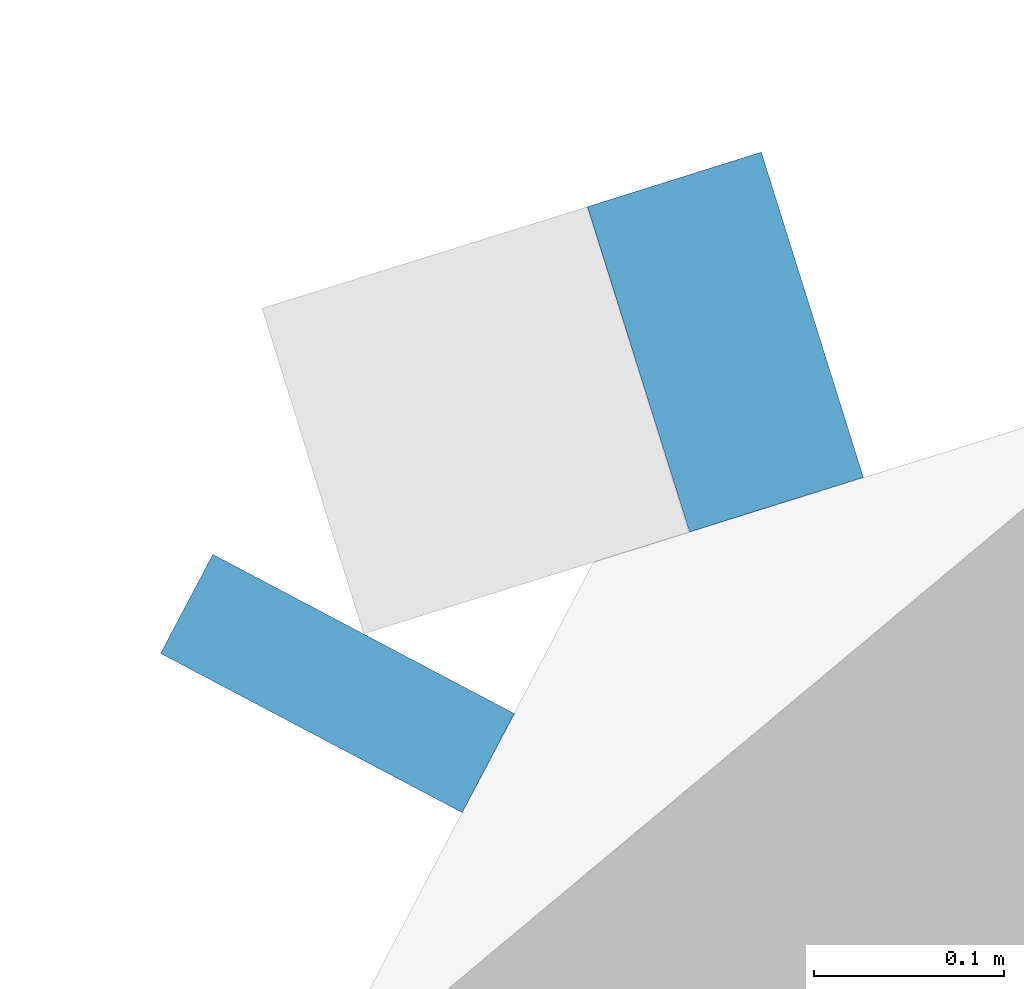
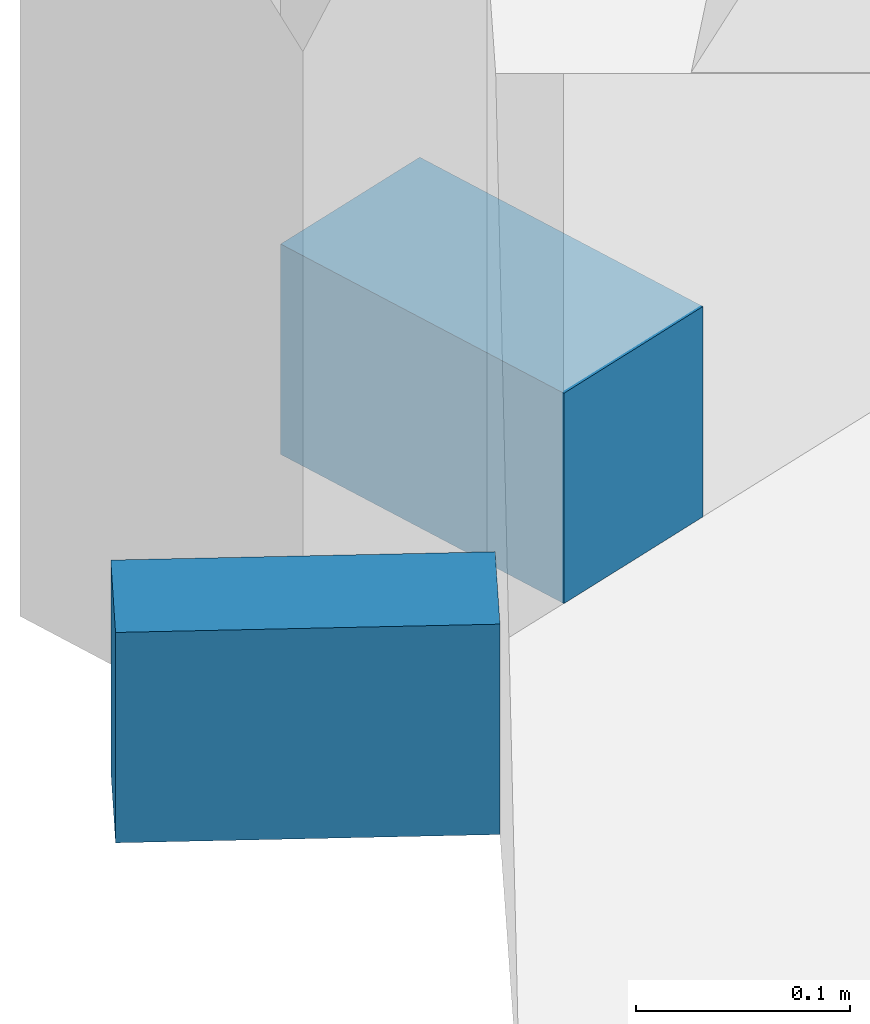
# One storey, part 14 of 23: 2 members, 2 elements without a shape of their own.
"""IFC4 building model written with IfcOpenShell, lengths in metres."""

from ifc_helpers import new_model, si_unit, direction, frame, origin, origin_2d, place, context, subcontext, project, spatial, rectangle, extrude, material, material_profile, profile_set, type_object, element, aggregate, save


model = new_model("IFC4")

# Units and contexts
model_context = context("Model", 3, precision=1e-05, world=origin(), true_north=direction((0.0, 1.0)))
body_context = subcontext(model_context, "Body", "Model", "MODEL_VIEW")
ifc_project = project(units=[si_unit("LENGTHUNIT", "METRE"), si_unit("AREAUNIT", "SQUARE_METRE"), si_unit("VOLUMEUNIT", "CUBIC_METRE"), si_unit("PLANEANGLEUNIT", "RADIAN"), si_unit("MASSUNIT", "GRAM", prefix="KILO")], contexts=[model_context])

# Site, building, storey
site_placement = place(None, origin())
site = spatial("IfcSite", under=ifc_project, at=site_placement, CompositionType="ELEMENT")
building_placement = place(site_placement, origin())
building = spatial("IfcBuilding", under=site, at=building_placement, Name="Orlundy Tower", CompositionType="ELEMENT")
storey_placement = place(building_placement, frame((0.0, 0.0, 264.0)))
storey = spatial("IfcBuildingStorey", under=building, at=storey_placement, Name="L70", CompositionType="ELEMENT", Elevation=264.0)

# Curtain wall, member
ifc_material_1 = material(Name="Aluminium bronze anodised", Category="aluminium")
curtain_wall_type = type_object("IfcCurtainWallType", Name="CW1 wall", PredefinedType="NOTDEFINED", material=ifc_material_1)
curtain_wall_1_placement = place(storey_placement, origin())
curtain_wall_1 = element("IfcCurtainWall", 1, at=curtain_wall_1_placement, inside=storey, type_object=curtain_wall_type, Name="CW1 run 02", PredefinedType="NOTDEFINED")
ifc_material_2 = material(Name="Aluminium bronze anodised", Category="aluminium")
ifc_material_profile = material_profile(ifc_material_2, rectangle(XDim=0.179931640625, YDim=0.1201171875, at=origin_2d()), Name="CW1 transom 180x120")
ifc_profile_set = profile_set([ifc_material_profile], Name="Aluminium bronze anodised")
member_type = type_object("IfcMemberType", Name="CW1 transom 180x120", PredefinedType="USERDEFINED", material=ifc_profile_set)
member_1_placement = place(storey_placement, frame((-20.948974609375, 24.8447265625, -0.340087890625), z_axis=(0.466938162214, 0.884289970919, 0.0), x_axis=(-0.884289970919, 0.466938162214, 0.0)))
member_1 = element("IfcMember", 2, at=member_1_placement, type_object=member_type, Name="CW1 transom", ObjectType="TRANSOM", PredefinedType="USERDEFINED", context=body_context, shape_type="SweptSolid", body=[
    extrude(rectangle(XDim=0.179931640625, YDim=0.1201171875, at=origin_2d()), origin(), (0.0, 0.0, 1.0), 0.05908203125),
])
aggregate(curtain_wall_1, [member_1])

curtain_wall_2_placement = place(storey_placement, origin())
curtain_wall_2 = element("IfcCurtainWall", 3, at=curtain_wall_2_placement, inside=storey, type_object=curtain_wall_type, Name="CW1 run 03", PredefinedType="NOTDEFINED")
member_2_placement = place(storey_placement, frame((-20.7763671875, 25.03662109375, -0.340087890625), z_axis=(0.954118061328, 0.299430668183, 0.0), x_axis=(-0.299430668183, 0.954118061328, 0.0)))
member_2 = element("IfcMember", 4, at=member_2_placement, type_object=member_type, Name="CW1 transom", ObjectType="TRANSOM", PredefinedType="USERDEFINED", context=body_context, shape_type="SweptSolid", body=[
    extrude(rectangle(XDim=0.179931640625, YDim=0.1201171875, at=origin_2d()), origin(), (0.0, 0.0, 1.0), 0.09619140625),
])
aggregate(curtain_wall_2, [member_2])

save(model, "model.ifc")
